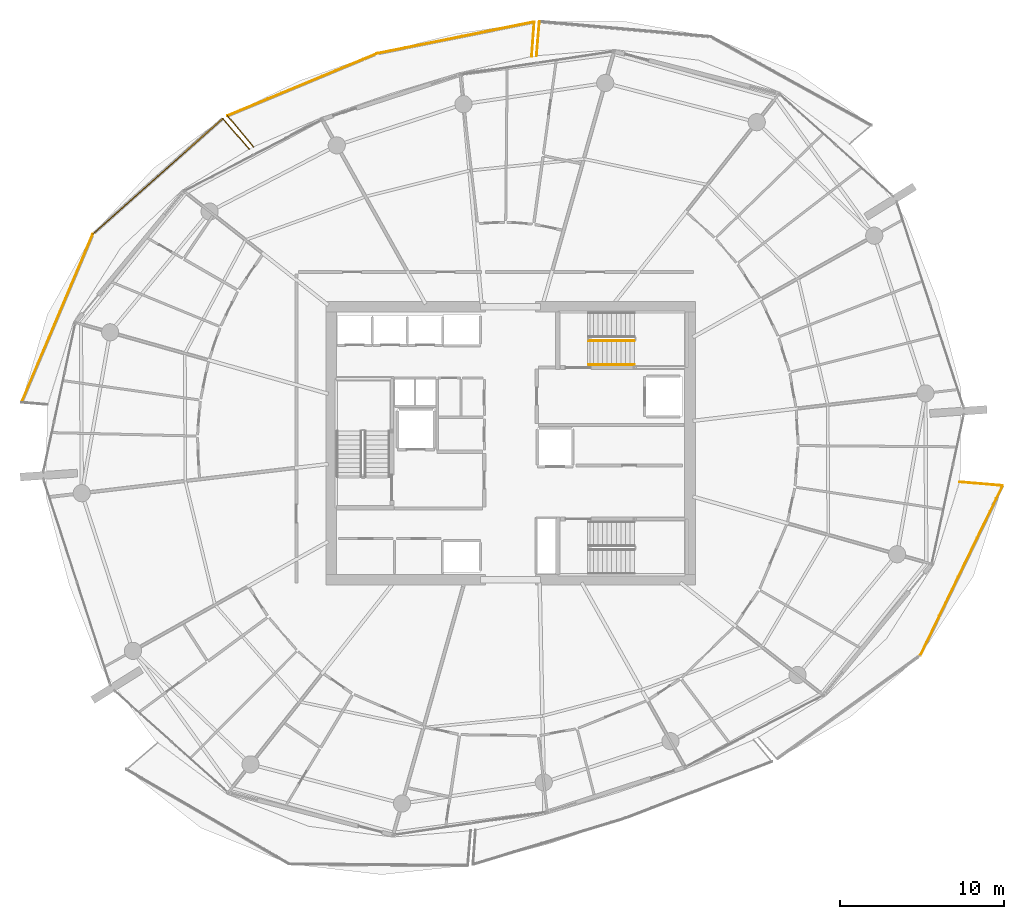
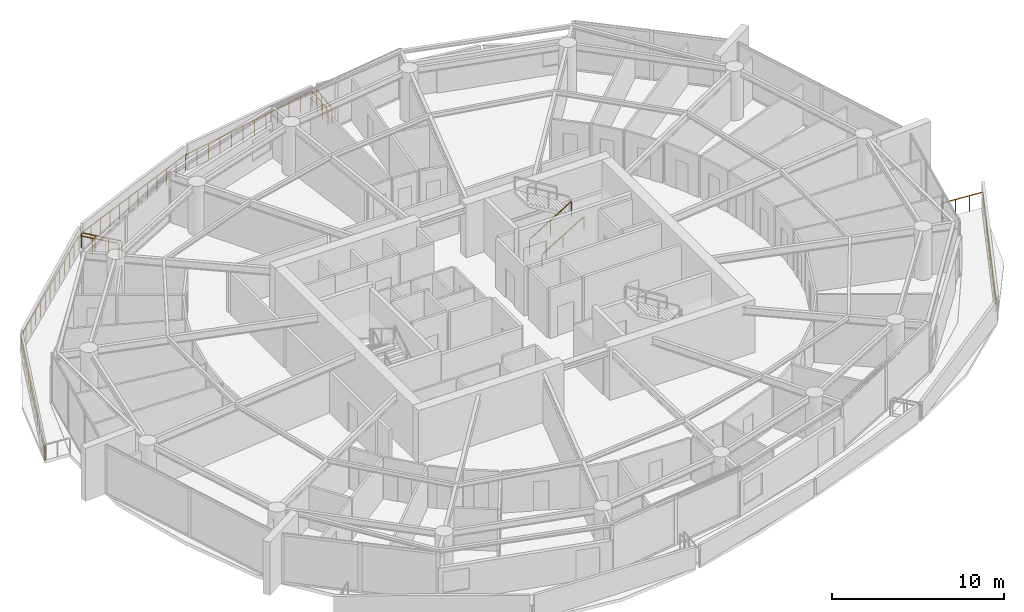
# One storey, part 20 of 21: 12 railings.
"""IFC4 building model written with IfcOpenShell, lengths in metres."""

from ifc_helpers import new_model, si_unit, direction, frame, origin, origin_2d, place, context, subcontext, project, spatial, rectangle, extrude, material, type_object, element, save


model = new_model("IFC4")

# Units and contexts
model_context = context("Model", 3, precision=1e-05, world=origin(), true_north=direction((0.0, 1.0)))
body_context = subcontext(model_context, "Body", "Model", "MODEL_VIEW")
ifc_project = project(units=[si_unit("LENGTHUNIT", "METRE"), si_unit("AREAUNIT", "SQUARE_METRE"), si_unit("VOLUMEUNIT", "CUBIC_METRE"), si_unit("PLANEANGLEUNIT", "RADIAN"), si_unit("MASSUNIT", "GRAM", prefix="KILO")], contexts=[model_context])

# Site, building, storey
site_placement = place(None, origin())
site = spatial("IfcSite", under=ifc_project, at=site_placement, CompositionType="ELEMENT")
building_placement = place(site_placement, origin())
building = spatial("IfcBuilding", under=site, at=building_placement, Name="Kazma Halo Residences", CompositionType="ELEMENT")
storey_placement = place(building_placement, frame((0.0, 0.0, 180.300048828125)))
storey = spatial("IfcBuildingStorey", under=building, at=storey_placement, Name="L45", CompositionType="ELEMENT", Elevation=180.300048828125)

# Railings
ifc_material_1 = material(Name="Aluminium AW-6063 T6 Brushed Cap Rail", Category="aluminium")
railing_type_1 = type_object("IfcRailingType", Name="RLG-BAL-CAP-1120", PredefinedType="BALUSTRADE", material=ifc_material_1)
railing_1_placement = place(storey_placement, frame((50.184814453125, 67.748046875, 0.0)))
element("IfcRailing", 1, at=railing_1_placement, inside=storey, type_object=railing_type_1, Name="L45 NE wave balcony guard 4", PredefinedType="BALUSTRADE", context=body_context, shape_type="SweptSolid", body=[
    extrude(rectangle(XDim=0.050048828125, YDim=0.050048828125, at=origin_2d()), frame((-0.003662109375, -0.04248046875, 1.09521484375), z_axis=(-0.084652453304, -0.99641053896, 0.0), x_axis=(0.99641053896, -0.084652453304, 0.0)), (0.0, 0.0, 1.0), 2.014404296875),
    extrude(rectangle(XDim=0.0400390625, YDim=0.0400390625, at=origin_2d()), origin(), (0.0, 0.0, 1.0), 1.05810546875),
    extrude(rectangle(XDim=0.0400390625, YDim=0.0400390625, at=origin_2d()), frame((-0.059326171875, -0.697265625, 0.0)), (0.0, 0.0, 1.0), 1.05810546875),
    extrude(rectangle(XDim=0.0400390625, YDim=0.0400390625, at=origin_2d()), frame((-0.118408203125, -1.394775390625, 0.0)), (0.0, 0.0, 1.0), 1.05810546875),
    extrude(rectangle(XDim=0.0400390625, YDim=0.0400390625, at=origin_2d()), frame((-0.177734375, -2.092041015625, 0.0)), (0.0, 0.0, 1.0), 1.05810546875),
])
railing_2_placement = place(storey_placement, frame((49.713134765625, 65.612060546875, 0.0)))
element("IfcRailing", 2, at=railing_2_placement, inside=storey, type_object=railing_type_1, Name="L45 NNW wave balcony guard 1", PredefinedType="BALUSTRADE", context=body_context, shape_type="SweptSolid", body=[
    extrude(rectangle(XDim=0.050048828125, YDim=0.050048828125, at=origin_2d()), frame((0.003173828125, 0.04248046875, 1.09521484375), z_axis=(0.072404117372, 0.997375377572, 0.0), x_axis=(-0.997375377572, 0.072404117372, 0.0)), (0.0, 0.0, 1.0), 2.029052734375),
    extrude(rectangle(XDim=0.0400390625, YDim=0.0400390625, at=origin_2d()), origin(), (0.0, 0.0, 1.0), 1.05810546875),
    extrude(rectangle(XDim=0.0400390625, YDim=0.0400390625, at=origin_2d()), frame((0.051025390625, 0.702880859375, 0.0)), (0.0, 0.0, 1.0), 1.05810546875),
    extrude(rectangle(XDim=0.0400390625, YDim=0.0400390625, at=origin_2d()), frame((0.10205078125, 1.40576171875, 0.0)), (0.0, 0.0, 1.0), 1.05810546875),
    extrude(rectangle(XDim=0.0400390625, YDim=0.0400390625, at=origin_2d()), frame((0.153076171875, 2.108642578125, 0.0)), (0.0, 0.0, 1.0), 1.05810546875),
])
railing_3_placement = place(storey_placement, frame((49.8662109375, 67.720703125, 0.0)))
element("IfcRailing", 3, at=railing_3_placement, inside=storey, type_object=railing_type_1, Name="L45 NNW wave balcony guard 2", PredefinedType="BALUSTRADE", context=body_context, shape_type="SweptSolid", body=[
    extrude(rectangle(XDim=0.050048828125, YDim=0.050048828125, at=origin_2d()), frame((-0.041748046875, -0.00830078125, 1.09521484375), z_axis=(-0.980370024715, -0.19716646429, 0.0), x_axis=(0.19716646429, -0.980370024715, 0.0)), (0.0, 0.0, 1.0), 9.703369140625),
    extrude(rectangle(XDim=0.0400390625, YDim=0.0400390625, at=origin_2d()), origin(), (0.0, 0.0, 1.0), 1.05810546875),
    extrude(rectangle(XDim=0.0400390625, YDim=0.0400390625, at=origin_2d()), frame((-0.872314453125, -0.175537109375, 0.0)), (0.0, 0.0, 1.0), 1.05810546875),
    extrude(rectangle(XDim=0.0400390625, YDim=0.0400390625, at=origin_2d()), frame((-1.744873046875, -0.350830078125, 0.0)), (0.0, 0.0, 1.0), 1.05810546875),
    extrude(rectangle(XDim=0.0400390625, YDim=0.0400390625, at=origin_2d()), frame((-2.6171875, -0.5263671875, 0.0)), (0.0, 0.0, 1.0), 1.05810546875),
    extrude(rectangle(XDim=0.0400390625, YDim=0.0400390625, at=origin_2d()), frame((-3.489501953125, -0.701904296875, 0.0)), (0.0, 0.0, 1.0), 1.05810546875),
    extrude(rectangle(XDim=0.0400390625, YDim=0.0400390625, at=origin_2d()), frame((-4.36181640625, -0.877197265625, 0.0)), (0.0, 0.0, 1.0), 1.05810546875),
    extrude(rectangle(XDim=0.0400390625, YDim=0.0400390625, at=origin_2d()), frame((-5.234375, -1.052734375, 0.0)), (0.0, 0.0, 1.0), 1.05810546875),
    extrude(rectangle(XDim=0.0400390625, YDim=0.0400390625, at=origin_2d()), frame((-6.106689453125, -1.22802734375, 0.0)), (0.0, 0.0, 1.0), 1.05810546875),
    extrude(rectangle(XDim=0.0400390625, YDim=0.0400390625, at=origin_2d()), frame((-6.97900390625, -1.403564453125, 0.0)), (0.0, 0.0, 1.0), 1.05810546875),
    extrude(rectangle(XDim=0.0400390625, YDim=0.0400390625, at=origin_2d()), frame((-7.851318359375, -1.5791015625, 0.0)), (0.0, 0.0, 1.0), 1.05810546875),
    extrude(rectangle(XDim=0.0400390625, YDim=0.0400390625, at=origin_2d()), frame((-8.723876953125, -1.75439453125, 0.0)), (0.0, 0.0, 1.0), 1.05810546875),
    extrude(rectangle(XDim=0.0400390625, YDim=0.0400390625, at=origin_2d()), frame((-9.59619140625, -1.929931640625, 0.0)), (0.0, 0.0, 1.0), 1.05810546875),
])
railing_4_placement = place(storey_placement, frame((40.27001953125, 65.790771484375, 0.0)))
element("IfcRailing", 4, at=railing_4_placement, inside=storey, type_object=railing_type_1, Name="L45 NNW wave balcony guard 3", PredefinedType="BALUSTRADE", context=body_context, shape_type="SweptSolid", body=[
    extrude(rectangle(XDim=0.050048828125, YDim=0.050048828125, at=origin_2d()), frame((-0.039306640625, -0.016357421875, 1.09521484375), z_axis=(-0.923265195377, -0.384163219226, 0.0), x_axis=(0.384163219226, -0.923265195377, 0.0)), (0.0, 0.0, 1.0), 9.807373046875),
    extrude(rectangle(XDim=0.0400390625, YDim=0.0400390625, at=origin_2d()), origin(), (0.0, 0.0, 1.0), 1.05810546875),
    extrude(rectangle(XDim=0.0400390625, YDim=0.0400390625, at=origin_2d()), frame((-0.830322265625, -0.345458984375, 0.0)), (0.0, 0.0, 1.0), 1.05810546875),
    extrude(rectangle(XDim=0.0400390625, YDim=0.0400390625, at=origin_2d()), frame((-1.66064453125, -0.69091796875, 0.0)), (0.0, 0.0, 1.0), 1.05810546875),
    extrude(rectangle(XDim=0.0400390625, YDim=0.0400390625, at=origin_2d()), frame((-2.490966796875, -1.036376953125, 0.0)), (0.0, 0.0, 1.0), 1.05810546875),
    extrude(rectangle(XDim=0.0400390625, YDim=0.0400390625, at=origin_2d()), frame((-3.3212890625, -1.3818359375, 0.0)), (0.0, 0.0, 1.0), 1.05810546875),
    extrude(rectangle(XDim=0.0400390625, YDim=0.0400390625, at=origin_2d()), frame((-4.151611328125, -1.727294921875, 0.0)), (0.0, 0.0, 1.0), 1.05810546875),
    extrude(rectangle(XDim=0.0400390625, YDim=0.0400390625, at=origin_2d()), frame((-4.981689453125, -2.072998046875, 0.0)), (0.0, 0.0, 1.0), 1.05810546875),
    extrude(rectangle(XDim=0.0400390625, YDim=0.0400390625, at=origin_2d()), frame((-5.81201171875, -2.41845703125, 0.0)), (0.0, 0.0, 1.0), 1.05810546875),
    extrude(rectangle(XDim=0.0400390625, YDim=0.0400390625, at=origin_2d()), frame((-6.642333984375, -2.763916015625, 0.0)), (0.0, 0.0, 1.0), 1.05810546875),
    extrude(rectangle(XDim=0.0400390625, YDim=0.0400390625, at=origin_2d()), frame((-7.47265625, -3.109375, 0.0)), (0.0, 0.0, 1.0), 1.05810546875),
    extrude(rectangle(XDim=0.0400390625, YDim=0.0400390625, at=origin_2d()), frame((-8.302978515625, -3.454833984375, 0.0)), (0.0, 0.0, 1.0), 1.05810546875),
    extrude(rectangle(XDim=0.0400390625, YDim=0.0400390625, at=origin_2d()), frame((-9.13330078125, -3.80029296875, 0.0)), (0.0, 0.0, 1.0), 1.05810546875),
])
railing_5_placement = place(storey_placement, frame((31.13671875, 61.990478515625, 0.0)))
element("IfcRailing", 5, at=railing_5_placement, inside=storey, type_object=railing_type_1, Name="L45 NNW wave balcony guard 4", PredefinedType="BALUSTRADE", context=body_context, shape_type="SweptSolid", body=[
    extrude(rectangle(XDim=0.050048828125, YDim=0.050048828125, at=origin_2d()), frame((0.02734375, -0.032470703125, 1.09521484375), z_axis=(0.644745092469, -0.764397648961, 0.0), x_axis=(0.764397648961, 0.644745092469, 0.0)), (0.0, 0.0, 1.0), 2.39404296875),
    extrude(rectangle(XDim=0.0400390625, YDim=0.0400390625, at=origin_2d()), origin(), (0.0, 0.0, 1.0), 1.05810546875),
    extrude(rectangle(XDim=0.0400390625, YDim=0.0400390625, at=origin_2d()), frame((0.53271484375, -0.631591796875, 0.0)), (0.0, 0.0, 1.0), 1.05810546875),
    extrude(rectangle(XDim=0.0400390625, YDim=0.0400390625, at=origin_2d()), frame((1.065673828125, -1.263427734375, 0.0)), (0.0, 0.0, 1.0), 1.05810546875),
    extrude(rectangle(XDim=0.0400390625, YDim=0.0400390625, at=origin_2d()), frame((1.598388671875, -1.89501953125, 0.0)), (0.0, 0.0, 1.0), 1.05810546875),
])
railing_6_placement = place(storey_placement, frame((32.471435546875, 59.958251953125, 0.0)))
element("IfcRailing", 6, at=railing_6_placement, inside=storey, type_object=railing_type_1, Name="L45 NW wave balcony guard 1", PredefinedType="BALUSTRADE", context=body_context, shape_type="SweptSolid", body=[
    extrude(rectangle(XDim=0.050048828125, YDim=0.050048828125, at=origin_2d()), frame((-0.02783203125, 0.0322265625, 1.09521484375), z_axis=(-0.654106085703, 0.756402821681, 0.0), x_axis=(-0.756402821681, -0.654106085703, 0.0)), (0.0, 0.0, 1.0), 2.385009765625),
    extrude(rectangle(XDim=0.0400390625, YDim=0.0400390625, at=origin_2d()), origin(), (0.0, 0.0, 1.0), 1.05810546875),
    extrude(rectangle(XDim=0.0400390625, YDim=0.0400390625, at=origin_2d()), frame((-0.53857421875, 0.622802734375, 0.0)), (0.0, 0.0, 1.0), 1.05810546875),
    extrude(rectangle(XDim=0.0400390625, YDim=0.0400390625, at=origin_2d()), frame((-1.0771484375, 1.24560546875, 0.0)), (0.0, 0.0, 1.0), 1.05810546875),
    extrude(rectangle(XDim=0.0400390625, YDim=0.0400390625, at=origin_2d()), frame((-1.61572265625, 1.868408203125, 0.0)), (0.0, 0.0, 1.0), 1.05810546875),
])
railing_7_placement = place(storey_placement, frame((30.855712890625, 61.82666015625, 0.0)))
element("IfcRailing", 7, at=railing_7_placement, inside=storey, type_object=railing_type_1, Name="L45 NW wave balcony guard 2", PredefinedType="BALUSTRADE", context=body_context, shape_type="SweptSolid", body=[
    extrude(rectangle(XDim=0.050048828125, YDim=0.050048828125, at=origin_2d()), frame((-0.03173828125, -0.0283203125, 1.09521484375), z_axis=(-0.747307756324, -0.664478078899, 0.0), x_axis=(0.664478078899, -0.747307756324, 0.0)), (0.0, 0.0, 1.0), 10.52587890625),
    extrude(rectangle(XDim=0.0400390625, YDim=0.0400390625, at=origin_2d()), origin(), (0.0, 0.0, 1.0), 1.05810546875),
    extrude(rectangle(XDim=0.0400390625, YDim=0.0400390625, at=origin_2d()), frame((-0.660888671875, -0.587646484375, 0.0)), (0.0, 0.0, 1.0), 1.05810546875),
    extrude(rectangle(XDim=0.0400390625, YDim=0.0400390625, at=origin_2d()), frame((-1.321533203125, -1.175048828125, 0.0)), (0.0, 0.0, 1.0), 1.05810546875),
    extrude(rectangle(XDim=0.0400390625, YDim=0.0400390625, at=origin_2d()), frame((-1.982421875, -1.7626953125, 0.0)), (0.0, 0.0, 1.0), 1.05810546875),
    extrude(rectangle(XDim=0.0400390625, YDim=0.0400390625, at=origin_2d()), frame((-2.643310546875, -2.350341796875, 0.0)), (0.0, 0.0, 1.0), 1.05810546875),
    extrude(rectangle(XDim=0.0400390625, YDim=0.0400390625, at=origin_2d()), frame((-3.303955078125, -2.937744140625, 0.0)), (0.0, 0.0, 1.0), 1.05810546875),
    extrude(rectangle(XDim=0.0400390625, YDim=0.0400390625, at=origin_2d()), frame((-3.96484375, -3.525390625, 0.0)), (0.0, 0.0, 1.0), 1.05810546875),
    extrude(rectangle(XDim=0.0400390625, YDim=0.0400390625, at=origin_2d()), frame((-4.625732421875, -4.113037109375, 0.0)), (0.0, 0.0, 1.0), 1.05810546875),
    extrude(rectangle(XDim=0.0400390625, YDim=0.0400390625, at=origin_2d()), frame((-5.286376953125, -4.700439453125, 0.0)), (0.0, 0.0, 1.0), 1.05810546875),
    extrude(rectangle(XDim=0.0400390625, YDim=0.0400390625, at=origin_2d()), frame((-5.947265625, -5.2880859375, 0.0)), (0.0, 0.0, 1.0), 1.05810546875),
    extrude(rectangle(XDim=0.0400390625, YDim=0.0400390625, at=origin_2d()), frame((-6.608154296875, -5.875732421875, 0.0)), (0.0, 0.0, 1.0), 1.05810546875),
    extrude(rectangle(XDim=0.0400390625, YDim=0.0400390625, at=origin_2d()), frame((-7.268798828125, -6.463134765625, 0.0)), (0.0, 0.0, 1.0), 1.05810546875),
    extrude(rectangle(XDim=0.0400390625, YDim=0.0400390625, at=origin_2d()), frame((-7.9296875, -7.05078125, 0.0)), (0.0, 0.0, 1.0), 1.05810546875),
])
railing_8_placement = place(storey_placement, frame((22.926025390625, 54.77587890625, 0.0)))
element("IfcRailing", 8, at=railing_8_placement, inside=storey, type_object=railing_type_1, Name="L45 NW wave balcony guard 3", PredefinedType="BALUSTRADE", context=body_context, shape_type="SweptSolid", body=[
    extrude(rectangle(XDim=0.050048828125, YDim=0.050048828125, at=origin_2d()), frame((-0.0166015625, -0.0390625, 1.09521484375), z_axis=(-0.390003836939, -0.920813231428, 0.0), x_axis=(0.920813231428, -0.390003836939, 0.0)), (0.0, 0.0, 1.0), 11.07763671875),
    extrude(rectangle(XDim=0.0400390625, YDim=0.0400390625, at=origin_2d()), origin(), (0.0, 0.0, 1.0), 1.05810546875),
    extrude(rectangle(XDim=0.0400390625, YDim=0.0400390625, at=origin_2d()), frame((-0.3349609375, -0.790771484375, 0.0)), (0.0, 0.0, 1.0), 1.05810546875),
    extrude(rectangle(XDim=0.0400390625, YDim=0.0400390625, at=origin_2d()), frame((-0.669677734375, -1.581298828125, 0.0)), (0.0, 0.0, 1.0), 1.05810546875),
    extrude(rectangle(XDim=0.0400390625, YDim=0.0400390625, at=origin_2d()), frame((-1.004638671875, -2.3720703125, 0.0)), (0.0, 0.0, 1.0), 1.05810546875),
    extrude(rectangle(XDim=0.0400390625, YDim=0.0400390625, at=origin_2d()), frame((-1.339599609375, -3.16259765625, 0.0)), (0.0, 0.0, 1.0), 1.05810546875),
    extrude(rectangle(XDim=0.0400390625, YDim=0.0400390625, at=origin_2d()), frame((-1.67431640625, -3.953369140625, 0.0)), (0.0, 0.0, 1.0), 1.05810546875),
    extrude(rectangle(XDim=0.0400390625, YDim=0.0400390625, at=origin_2d()), frame((-2.00927734375, -4.744140625, 0.0)), (0.0, 0.0, 1.0), 1.05810546875),
    extrude(rectangle(XDim=0.0400390625, YDim=0.0400390625, at=origin_2d()), frame((-2.34423828125, -5.53466796875, 0.0)), (0.0, 0.0, 1.0), 1.05810546875),
    extrude(rectangle(XDim=0.0400390625, YDim=0.0400390625, at=origin_2d()), frame((-2.67919921875, -6.325439453125, 0.0)), (0.0, 0.0, 1.0), 1.05810546875),
    extrude(rectangle(XDim=0.0400390625, YDim=0.0400390625, at=origin_2d()), frame((-3.013916015625, -7.1162109375, 0.0)), (0.0, 0.0, 1.0), 1.05810546875),
    extrude(rectangle(XDim=0.0400390625, YDim=0.0400390625, at=origin_2d()), frame((-3.348876953125, -7.90673828125, 0.0)), (0.0, 0.0, 1.0), 1.05810546875),
    extrude(rectangle(XDim=0.0400390625, YDim=0.0400390625, at=origin_2d()), frame((-3.683837890625, -8.697509765625, 0.0)), (0.0, 0.0, 1.0), 1.05810546875),
    extrude(rectangle(XDim=0.0400390625, YDim=0.0400390625, at=origin_2d()), frame((-4.0185546875, -9.488037109375, 0.0)), (0.0, 0.0, 1.0), 1.05810546875),
    extrude(rectangle(XDim=0.0400390625, YDim=0.0400390625, at=origin_2d()), frame((-4.353515625, -10.27880859375, 0.0)), (0.0, 0.0, 1.0), 1.05810546875),
])
railing_9_placement = place(storey_placement, frame((73.4287109375, 29.04345703125, 0.0)))
element("IfcRailing", 9, at=railing_9_placement, inside=storey, type_object=railing_type_1, Name="L45 SE wave balcony guard 3", PredefinedType="BALUSTRADE", context=body_context, shape_type="SweptSolid", body=[
    extrude(rectangle(XDim=0.050048828125, YDim=0.050048828125, at=origin_2d()), frame((0.0185546875, 0.038330078125, 1.09521484375), z_axis=(0.436713522419, 0.899600633246, 0.0), x_axis=(-0.899600633246, 0.436713522419, 0.0)), (0.0, 0.0, 1.0), 11.444091796875),
    extrude(rectangle(XDim=0.0400390625, YDim=0.0400390625, at=origin_2d()), origin(), (0.0, 0.0, 1.0), 1.05810546875),
    extrude(rectangle(XDim=0.0400390625, YDim=0.0400390625, at=origin_2d()), frame((0.38720703125, 0.7978515625, 0.0)), (0.0, 0.0, 1.0), 1.05810546875),
    extrude(rectangle(XDim=0.0400390625, YDim=0.0400390625, at=origin_2d()), frame((0.774658203125, 1.595703125, 0.0)), (0.0, 0.0, 1.0), 1.05810546875),
    extrude(rectangle(XDim=0.0400390625, YDim=0.0400390625, at=origin_2d()), frame((1.161865234375, 2.3935546875, 0.0)), (0.0, 0.0, 1.0), 1.05810546875),
    extrude(rectangle(XDim=0.0400390625, YDim=0.0400390625, at=origin_2d()), frame((1.54931640625, 3.191162109375, 0.0)), (0.0, 0.0, 1.0), 1.05810546875),
    extrude(rectangle(XDim=0.0400390625, YDim=0.0400390625, at=origin_2d()), frame((1.9365234375, 3.989013671875, 0.0)), (0.0, 0.0, 1.0), 1.05810546875),
    extrude(rectangle(XDim=0.0400390625, YDim=0.0400390625, at=origin_2d()), frame((2.32373046875, 4.786865234375, 0.0)), (0.0, 0.0, 1.0), 1.05810546875),
    extrude(rectangle(XDim=0.0400390625, YDim=0.0400390625, at=origin_2d()), frame((2.711181640625, 5.584716796875, 0.0)), (0.0, 0.0, 1.0), 1.05810546875),
    extrude(rectangle(XDim=0.0400390625, YDim=0.0400390625, at=origin_2d()), frame((3.098388671875, 6.382568359375, 0.0)), (0.0, 0.0, 1.0), 1.05810546875),
    extrude(rectangle(XDim=0.0400390625, YDim=0.0400390625, at=origin_2d()), frame((3.485595703125, 7.180419921875, 0.0)), (0.0, 0.0, 1.0), 1.05810546875),
    extrude(rectangle(XDim=0.0400390625, YDim=0.0400390625, at=origin_2d()), frame((3.873046875, 7.97802734375, 0.0)), (0.0, 0.0, 1.0), 1.05810546875),
    extrude(rectangle(XDim=0.0400390625, YDim=0.0400390625, at=origin_2d()), frame((4.26025390625, 8.77587890625, 0.0)), (0.0, 0.0, 1.0), 1.05810546875),
    extrude(rectangle(XDim=0.0400390625, YDim=0.0400390625, at=origin_2d()), frame((4.647705078125, 9.57373046875, 0.0)), (0.0, 0.0, 1.0), 1.05810546875),
    extrude(rectangle(XDim=0.0400390625, YDim=0.0400390625, at=origin_2d()), frame((5.034912109375, 10.37158203125, 0.0)), (0.0, 0.0, 1.0), 1.05810546875),
])
railing_10_placement = place(storey_placement, frame((78.463623046875, 39.4150390625, 0.0)))
element("IfcRailing", 10, at=railing_10_placement, inside=storey, type_object=railing_type_1, Name="L45 SE wave balcony guard 4", PredefinedType="BALUSTRADE", context=body_context, shape_type="SweptSolid", body=[
    extrude(rectangle(XDim=0.050048828125, YDim=0.050048828125, at=origin_2d()), frame((-0.04248046875, 0.003662109375, 1.09521484375), z_axis=(-0.996418270256, 0.084561401951, 0.0), x_axis=(-0.084561401951, -0.996418270256, 0.0)), (0.0, 0.0, 1.0), 2.5537109375),
    extrude(rectangle(XDim=0.0400390625, YDim=0.0400390625, at=origin_2d()), origin(), (0.0, 0.0, 1.0), 1.05810546875),
    extrude(rectangle(XDim=0.0400390625, YDim=0.0400390625, at=origin_2d()), frame((-0.87646484375, 0.074462890625, 0.0)), (0.0, 0.0, 1.0), 1.05810546875),
    extrude(rectangle(XDim=0.0400390625, YDim=0.0400390625, at=origin_2d()), frame((-1.7529296875, 0.148681640625, 0.0)), (0.0, 0.0, 1.0), 1.05810546875),
    extrude(rectangle(XDim=0.0400390625, YDim=0.0400390625, at=origin_2d()), frame((-2.62939453125, 0.22314453125, 0.0)), (0.0, 0.0, 1.0), 1.05810546875),
])
ifc_material_2 = material(Name="Painted Steel S355", Category="steel")
railing_type_2 = type_object("IfcRailingType", Name="RLG-STAIR-GRD-1100", PredefinedType="GUARDRAIL", material=ifc_material_2)
railing_11_placement = place(storey_placement, frame((53.199951171875, 48.25, 0.17041015625)))
element("IfcRailing", 11, at=railing_11_placement, inside=storey, type_object=railing_type_2, Name="L45 ST-02 stair guard 1", PredefinedType="GUARDRAIL", context=body_context, shape_type="SweptSolid", body=[
    extrude(rectangle(XDim=0.050048828125, YDim=0.050048828125, at=origin_2d()), frame((0.036376953125, 0.0, 1.09716796875), z_axis=(0.854169791009, 0.0, 0.51999420009), x_axis=(0.0, 1.0, 0.0)), (0.0, 0.0, 1.0), 3.193115234375),
    extrude(rectangle(XDim=0.0400390625, YDim=0.0400390625, at=origin_2d()), origin(), (0.0, 0.0, 1.0), 1.0380859375),
    extrude(rectangle(XDim=0.0400390625, YDim=0.0400390625, at=origin_2d()), frame((1.39990234375, 0.0, 0.852294921875)), (0.0, 0.0, 1.0), 1.0380859375),
    extrude(rectangle(XDim=0.0400390625, YDim=0.0400390625, at=origin_2d()), frame((2.800048828125, 0.0, 1.70458984375)), (0.0, 0.0, 1.0), 1.0380859375),
])
ifc_material_3 = material(Name="Brushed Stainless Steel", Category="steel")
railing_type_3 = type_object("IfcRailingType", Name="RLG-STAIR-HND-900", PredefinedType="HANDRAIL", material=ifc_material_3)
railing_12_placement = place(storey_placement, frame((53.199951171875, 46.800048828125, 0.17041015625)))
element("IfcRailing", 12, at=railing_12_placement, inside=storey, type_object=railing_type_3, Name="L45 ST-02 stair handrail 1", PredefinedType="HANDRAIL", context=body_context, shape_type="SweptSolid", body=[
    extrude(rectangle(XDim=0.050048828125, YDim=0.050048828125, at=origin_2d()), frame((0.036376953125, 0.0, 0.89697265625), z_axis=(0.854169791009, 0.0, 0.51999420009), x_axis=(0.0, 1.0, 0.0)), (0.0, 0.0, 1.0), 3.193115234375),
    extrude(rectangle(XDim=0.0400390625, YDim=0.0400390625, at=origin_2d()), origin(), (0.0, 0.0, 1.0), 0.837890625),
    extrude(rectangle(XDim=0.0400390625, YDim=0.0400390625, at=origin_2d()), frame((1.39990234375, 0.0, 0.852294921875)), (0.0, 0.0, 1.0), 0.837890625),
    extrude(rectangle(XDim=0.0400390625, YDim=0.0400390625, at=origin_2d()), frame((2.800048828125, 0.0, 1.70458984375)), (0.0, 0.0, 1.0), 0.837890625),
])

save(model, "model.ifc")
